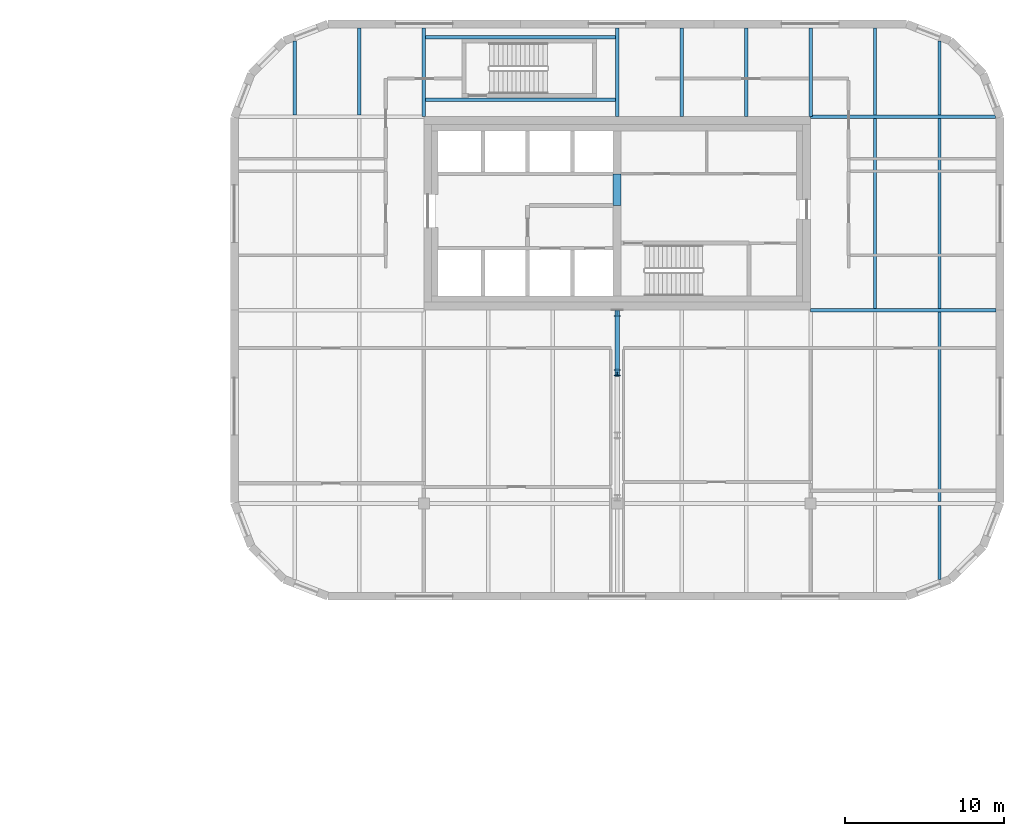
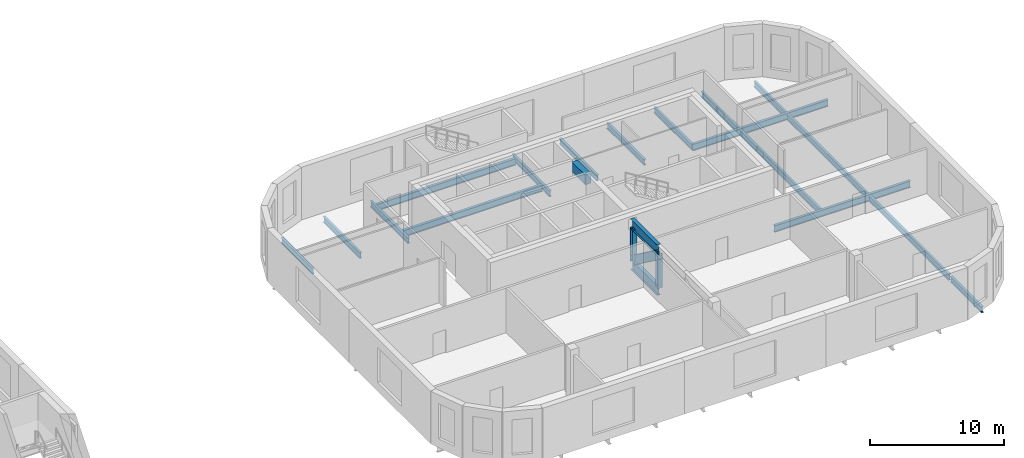
# One storey, part 6 of 21: 20 beams, 3 members.
"""IFC4 building model written with IfcOpenShell, lengths in metres."""

from ifc_helpers import new_model, si_unit, direction, frame, origin, origin_2d, place, context, subcontext, project, spatial, rectangle, i_section, extrude, material, material_profile, profile_set, type_object, element, save


model = new_model("IFC4")

# Units and contexts
model_context = context("Model", 3, precision=1e-05, world=origin(), true_north=direction((0.0, 1.0)))
body_context = subcontext(model_context, "Body", "Model", "MODEL_VIEW")
ifc_project = project(units=[si_unit("LENGTHUNIT", "METRE"), si_unit("AREAUNIT", "SQUARE_METRE"), si_unit("VOLUMEUNIT", "CUBIC_METRE"), si_unit("PLANEANGLEUNIT", "RADIAN"), si_unit("MASSUNIT", "GRAM", prefix="KILO")], contexts=[model_context])

# Site, building, storey
site_placement = place(None, origin())
site = spatial("IfcSite", under=ifc_project, at=site_placement, CompositionType="ELEMENT")
building_placement = place(site_placement, origin())
building = spatial("IfcBuilding", under=site, at=building_placement, Name="Tessera Gate Towers", CompositionType="ELEMENT")
storey_placement = place(building_placement, frame((0.0, 0.0, 63.800048828125)))
storey = spatial("IfcBuildingStorey", under=building, at=storey_placement, Name="L15", CompositionType="ELEMENT", Elevation=63.800048828125)

# Beams
ifc_material_1 = material(Name="Concrete C50/60", Category="concrete")
ifc_material_profile_1 = material_profile(ifc_material_1, rectangle(XDim=0.5, YDim=0.89990234375, at=origin_2d()), Name="RC 500x900")
ifc_profile_set_1 = profile_set([ifc_material_profile_1], Name="Concrete C50/60")
beam_type_1 = type_object("IfcBeamType", Name="COUPLING BEAM 500x900 C50/60", PredefinedType="BEAM", material=ifc_profile_set_1)
beam_1_placement = place(storey_placement, frame((109.800048828125, 43.199951171875, 4.14990234375), z_axis=(0.0, 1.0, 0.0), x_axis=(-1.0, 0.0, 0.0)))
element("IfcBeam", 1, at=beam_1_placement, inside=storey, type_object=beam_type_1, Name="L15 coupling beam 1", PredefinedType="BEAM", context=body_context, shape_type="SweptSolid", body=[
    extrude(rectangle(XDim=0.5, YDim=0.89990234375, at=origin_2d()), origin(), (0.0, 0.0, 1.0), 2.0),
])
ifc_material_2 = material(Name="Steel 350W", Category="steel")
ifc_material_profile_2 = material_profile(ifc_material_2, i_section(OverallWidth=0.22900390625, OverallDepth=0.612060546875, WebThickness=0.011962890625, FlangeThickness=0.01953125, at=origin_2d()), Name="W610x125")
ifc_profile_set_2 = profile_set([ifc_material_profile_2], Name="Steel 350W")
beam_type_2 = type_object("IfcBeamType", Name="FLOOR GIRDER W610x125", PredefinedType="BEAM", material=ifc_profile_set_2)
beam_2_placement = place(storey_placement, frame((122.0009765625, 36.60009765625, -0.60595703125), z_axis=(1.0, 0.0, 0.0), x_axis=(0.0, 1.0, 0.0)))
element("IfcBeam", 2, at=beam_2_placement, inside=storey, type_object=beam_type_2, Name="T2-GD-L15-2190", PredefinedType="BEAM", context=body_context, shape_type="SweptSolid", body=[
    extrude(i_section(OverallWidth=0.22900390625, OverallDepth=0.612060546875, WebThickness=0.011962890625, FlangeThickness=0.01953125, at=origin_2d()), origin(), (0.0, 0.0, 1.0), 11.699951171875),
])
beam_3_placement = place(storey_placement, frame((122.0009765625, 48.800048828125, -0.60595703125), z_axis=(1.0, 0.0, 0.0), x_axis=(0.0, 1.0, 0.0)))
element("IfcBeam", 3, at=beam_3_placement, inside=storey, type_object=beam_type_2, Name="T2-GD-L15-2192", PredefinedType="BEAM", context=body_context, shape_type="SweptSolid", body=[
    extrude(i_section(OverallWidth=0.22900390625, OverallDepth=0.612060546875, WebThickness=0.011962890625, FlangeThickness=0.01953125, at=origin_2d()), origin(), (0.0, 0.0, 1.0), 11.664306640625),
])
for number, where, z_axis, x_axis, name in (
    (4, (97.70458984375, 49.8798828125, -0.60595703125), (1.0, 0.0, 0.0), (0.0, 1.0, 0.0), "T2-GD-L15-2199"),
    (5, (97.70458984375, 53.820068359375, -0.60595703125), (1.0, 0.0, 0.0), (0.0, 1.0, 0.0), "T2-GD-L15-2200"),
):
    element("IfcBeam", number, at=place(storey_placement, frame(where, z_axis=z_axis, x_axis=x_axis)), inside=storey, type_object=beam_type_2, Name=name, PredefinedType="BEAM", context=body_context, shape_type="SweptSolid", body=[
        extrude(i_section(OverallWidth=0.22900390625, OverallDepth=0.612060546875, WebThickness=0.011962890625, FlangeThickness=0.01953125, at=origin_2d()), origin(), (0.0, 0.0, 1.0), 11.990966796875),
    ])
ifc_material_3 = material(Name="Steel 350W", Category="steel")
ifc_material_profile_3 = material_profile(ifc_material_3, i_section(OverallWidth=0.208984375, OverallDepth=0.528076171875, WebThickness=0.009521484375, FlangeThickness=0.01318359375, at=origin_2d()), Name="W530x82")
ifc_profile_set_3 = profile_set([ifc_material_profile_3], Name="Steel 350W")
beam_type_3 = type_object("IfcBeamType", Name="FLOOR SECONDARY W530x82", PredefinedType="BEAM", material=ifc_profile_set_3)
beam_4_placement = place(storey_placement, frame((89.466796875, 48.91455078125, -0.56396484375), z_axis=(0.0, 1.0, 0.0), x_axis=(-1.0, 0.0, 0.0)))
element("IfcBeam", 6, at=beam_4_placement, inside=storey, type_object=beam_type_3, Name="T2-BM-L15-2204", PredefinedType="BEAM", context=body_context, shape_type="SweptSolid", body=[
    extrude(i_section(OverallWidth=0.208984375, OverallDepth=0.528076171875, WebThickness=0.009521484375, FlangeThickness=0.01318359375, at=origin_2d()), origin(), (0.0, 0.0, 1.0), 4.6650390625),
])
beam_5_placement = place(storey_placement, frame((93.533203125, 48.91455078125, -0.56396484375), z_axis=(0.0, 1.0, 0.0), x_axis=(-1.0, 0.0, 0.0)))
element("IfcBeam", 7, at=beam_5_placement, inside=storey, type_object=beam_type_3, Name="T2-BM-L15-2208", PredefinedType="BEAM", context=body_context, shape_type="SweptSolid", body=[
    extrude(i_section(OverallWidth=0.208984375, OverallDepth=0.528076171875, WebThickness=0.009521484375, FlangeThickness=0.01318359375, at=origin_2d()), origin(), (0.0, 0.0, 1.0), 5.4853515625),
])
for number, where, z_axis, x_axis, name in (
    (8, (97.60009765625, 48.800048828125, -0.56396484375), (0.0, 1.0, 0.0), (-1.0, 0.0, 0.0), "T2-BM-L15-2209"),
    (9, (109.800048828125, 48.800048828125, -0.56396484375), (0.0, 1.0, 0.0), (-1.0, 0.0, 0.0), "T2-BM-L15-2214"),
    (10, (113.86669921875, 48.800048828125, -0.56396484375), (0.0, 1.0, 0.0), (-1.0, 0.0, 0.0), "T2-BM-L15-2217"),
    (11, (117.933349609375, 48.800048828125, -0.56396484375), (0.0, 1.0, 0.0), (-1.0, 0.0, 0.0), "T2-BM-L15-2220"),
    (12, (122.0, 48.800048828125, -0.56396484375), (0.0, 1.0, 0.0), (-1.0, 0.0, 0.0), "T2-BM-L15-2221"),
):
    element("IfcBeam", number, at=place(storey_placement, frame(where, z_axis=z_axis, x_axis=x_axis)), inside=storey, type_object=beam_type_3, Name=name, PredefinedType="BEAM", context=body_context, shape_type="SweptSolid", body=[
        extrude(i_section(OverallWidth=0.208984375, OverallDepth=0.528076171875, WebThickness=0.009521484375, FlangeThickness=0.01318359375, at=origin_2d()), origin(), (0.0, 0.0, 1.0), 5.599853515625),
    ])
beam_6_placement = place(storey_placement, frame((126.066650390625, 36.714599609375, -0.56396484375), z_axis=(0.0, 1.0, 0.0), x_axis=(-1.0, 0.0, 0.0)))
element("IfcBeam", 13, at=beam_6_placement, inside=storey, type_object=beam_type_3, Name="T2-BM-L15-2224", PredefinedType="BEAM", context=body_context, shape_type="SweptSolid", body=[
    extrude(i_section(OverallWidth=0.208984375, OverallDepth=0.528076171875, WebThickness=0.009521484375, FlangeThickness=0.01318359375, at=origin_2d()), origin(), (0.0, 0.0, 1.0), 11.970947265625),
])
beam_7_placement = place(storey_placement, frame((126.066650390625, 48.91455078125, -0.56396484375), z_axis=(0.0, 1.0, 0.0), x_axis=(-1.0, 0.0, 0.0)))
element("IfcBeam", 14, at=beam_7_placement, inside=storey, type_object=beam_type_3, Name="T2-BM-L15-2225", PredefinedType="BEAM", context=body_context, shape_type="SweptSolid", body=[
    extrude(i_section(OverallWidth=0.208984375, OverallDepth=0.528076171875, WebThickness=0.009521484375, FlangeThickness=0.01318359375, at=origin_2d()), origin(), (0.0, 0.0, 1.0), 5.4853515625),
])
beam_8_placement = place(storey_placement, frame((130.13330078125, 19.620361328125, -0.56396484375), z_axis=(0.0, 1.0, 0.0), x_axis=(-1.0, 0.0, 0.0)))
element("IfcBeam", 15, at=beam_8_placement, inside=storey, type_object=beam_type_3, Name="T2-BM-L15-2226", PredefinedType="BEAM", context=body_context, shape_type="SweptSolid", body=[
    extrude(i_section(OverallWidth=0.208984375, OverallDepth=0.528076171875, WebThickness=0.009521484375, FlangeThickness=0.01318359375, at=origin_2d()), origin(), (0.0, 0.0, 1.0), 4.6650390625),
])
beam_9_placement = place(storey_placement, frame((130.13330078125, 24.514404296875, -0.56396484375), z_axis=(0.0, 1.0, 0.0), x_axis=(-1.0, 0.0, 0.0)))
element("IfcBeam", 16, at=beam_9_placement, inside=storey, type_object=beam_type_3, Name="T2-BM-L15-2227", PredefinedType="BEAM", context=body_context, shape_type="SweptSolid", body=[
    extrude(i_section(OverallWidth=0.208984375, OverallDepth=0.528076171875, WebThickness=0.009521484375, FlangeThickness=0.01318359375, at=origin_2d()), origin(), (0.0, 0.0, 1.0), 11.97119140625),
])
beam_10_placement = place(storey_placement, frame((130.13330078125, 36.714599609375, -0.56396484375), z_axis=(0.0, 1.0, 0.0), x_axis=(-1.0, 0.0, 0.0)))
element("IfcBeam", 17, at=beam_10_placement, inside=storey, type_object=beam_type_3, Name="T2-BM-L15-2228", PredefinedType="BEAM", context=body_context, shape_type="SweptSolid", body=[
    extrude(i_section(OverallWidth=0.208984375, OverallDepth=0.528076171875, WebThickness=0.009521484375, FlangeThickness=0.01318359375, at=origin_2d()), origin(), (0.0, 0.0, 1.0), 11.970947265625),
])
beam_11_placement = place(storey_placement, frame((130.13330078125, 48.91455078125, -0.56396484375), z_axis=(0.0, 1.0, 0.0), x_axis=(-1.0, 0.0, 0.0)))
element("IfcBeam", 18, at=beam_11_placement, inside=storey, type_object=beam_type_3, Name="T2-BM-L15-2229", PredefinedType="BEAM", context=body_context, shape_type="SweptSolid", body=[
    extrude(i_section(OverallWidth=0.208984375, OverallDepth=0.528076171875, WebThickness=0.009521484375, FlangeThickness=0.01318359375, at=origin_2d()), origin(), (0.0, 0.0, 1.0), 4.6650390625),
])

# Member
ifc_material_4 = material(Name="Steel 350W", Category="steel")
ifc_material_profile_4 = material_profile(ifc_material_4, i_section(OverallWidth=0.26806640625, OverallDepth=0.77001953125, WebThickness=0.015625, FlangeThickness=0.025390625, at=origin_2d()), Name="W760x196")
ifc_profile_set_4 = profile_set([ifc_material_profile_4], Name="Steel 350W")
member_type_1 = type_object("IfcMemberType", Name="OUTRIGGER BRACE W760x196", PredefinedType="BRACE", material=ifc_profile_set_4)
member_placement = place(storey_placement, frame((109.800048828125, 36.403076171875, 0.9150390625), z_axis=(0.0, -0.804592536756, 0.593827289536), x_axis=(1.0, 0.0, 0.0)))
element("IfcMember", 19, at=member_placement, inside=storey, type_object=member_type_1, Name="Outrigger truss T2 L15 S1a brace D1", PredefinedType="BRACE", context=body_context, shape_type="SweptSolid", body=[
    extrude(i_section(OverallWidth=0.26806640625, OverallDepth=0.77001953125, WebThickness=0.015625, FlangeThickness=0.025390625, at=origin_2d()), origin(), (0.0, 0.0, 1.0), 4.664794921875),
])

# Beams
ifc_material_5 = material(Name="Steel 350W", Category="steel")
ifc_material_profile_5 = material_profile(ifc_material_5, i_section(OverallWidth=0.304931640625, OverallDepth=0.9150390625, WebThickness=0.01611328125, FlangeThickness=0.02587890625, at=origin_2d()), Name="W920x238")
ifc_profile_set_5 = profile_set([ifc_material_profile_5], Name="Steel 350W")
beam_type_4 = type_object("IfcBeamType", Name="OUTRIGGER CHORD W920x238", PredefinedType="BEAM", material=ifc_profile_set_5)
for number, where, z_axis, x_axis, name in (
    (20, (109.800048828125, 36.60009765625, 4.142333984375), (0.0, -1.0, 0.0), (1.0, 0.0, 0.0), "Outrigger truss T2 L15 S1a top chord TC1"),
    (21, (109.800048828125, 36.60009765625, 0.45751953125), (0.0, -1.0, 0.0), (1.0, 0.0, 0.0), "Outrigger truss T2 L15 S1a bottom chord BC1"),
):
    element("IfcBeam", number, at=place(storey_placement, frame(where, z_axis=z_axis, x_axis=x_axis)), inside=storey, type_object=beam_type_4, Name=name, PredefinedType="BEAM", context=body_context, shape_type="SweptSolid", body=[
        extrude(i_section(OverallWidth=0.304931640625, OverallDepth=0.9150390625, WebThickness=0.01611328125, FlangeThickness=0.02587890625, at=origin_2d()), origin(), (0.0, 0.0, 1.0), 3.9501953125),
    ])

# Members
ifc_material_6 = material(Name="Steel 350W", Category="steel")
ifc_material_profile_6 = material_profile(ifc_material_6, i_section(OverallWidth=0.39404296875, OverallDepth=0.375, WebThickness=0.017333984375, FlangeThickness=0.027587890625, at=origin_2d()), Name="W360x216")
ifc_profile_set_6 = profile_set([ifc_material_profile_6], Name="Steel 350W")
member_type_2 = type_object("IfcMemberType", Name="OUTRIGGER POST W360x216", PredefinedType="POST", material=ifc_profile_set_6)
for number, where, z_axis, x_axis, name in (
    (22, (109.800048828125, 36.403076171875, 0.732421875), (0.0, 0.0, 1.0), (1.0, 0.0, 0.0), "Outrigger truss T2 L15 S1a post V0"),
    (23, (109.800048828125, 32.64990234375, 0.732421875), (0.0, 0.0, 1.0), (1.0, 0.0, 0.0), "Outrigger truss T2 L15 S1a post V1"),
):
    element("IfcMember", number, at=place(storey_placement, frame(where, z_axis=z_axis, x_axis=x_axis)), inside=storey, type_object=member_type_2, Name=name, PredefinedType="POST", context=body_context, shape_type="SweptSolid", body=[
        extrude(i_section(OverallWidth=0.39404296875, OverallDepth=0.375, WebThickness=0.017333984375, FlangeThickness=0.027587890625, at=origin_2d()), origin(), (0.0, 0.0, 1.0), 3.135009765625),
    ])

save(model, "model.ifc")
